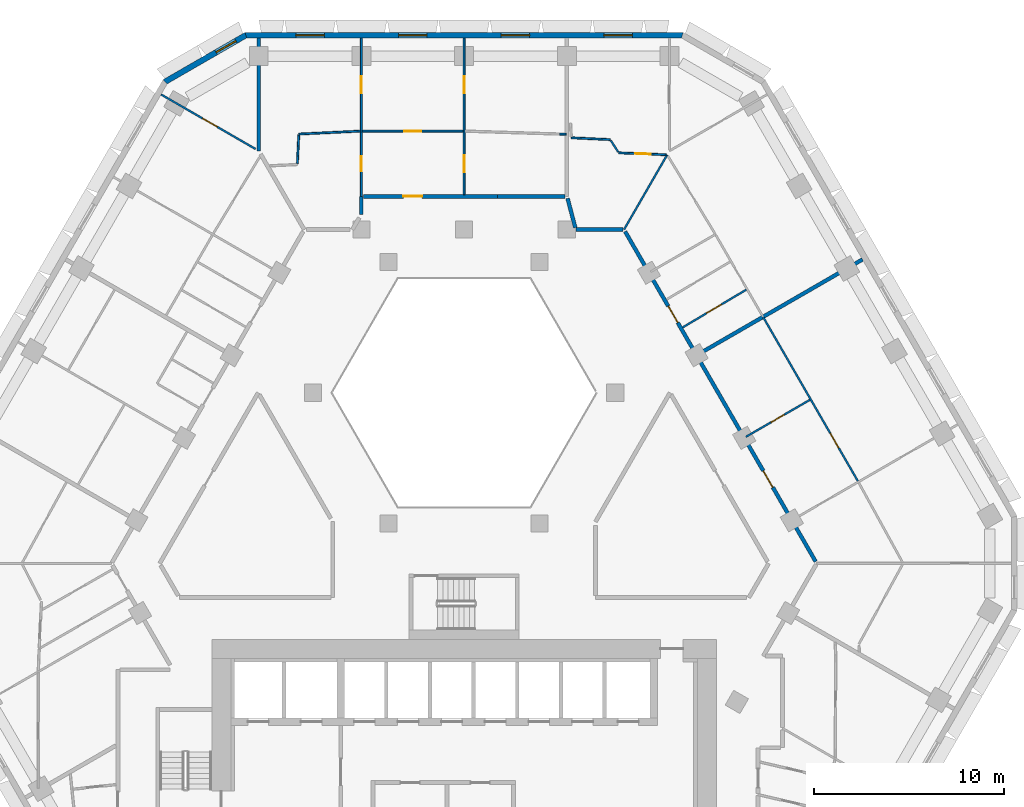
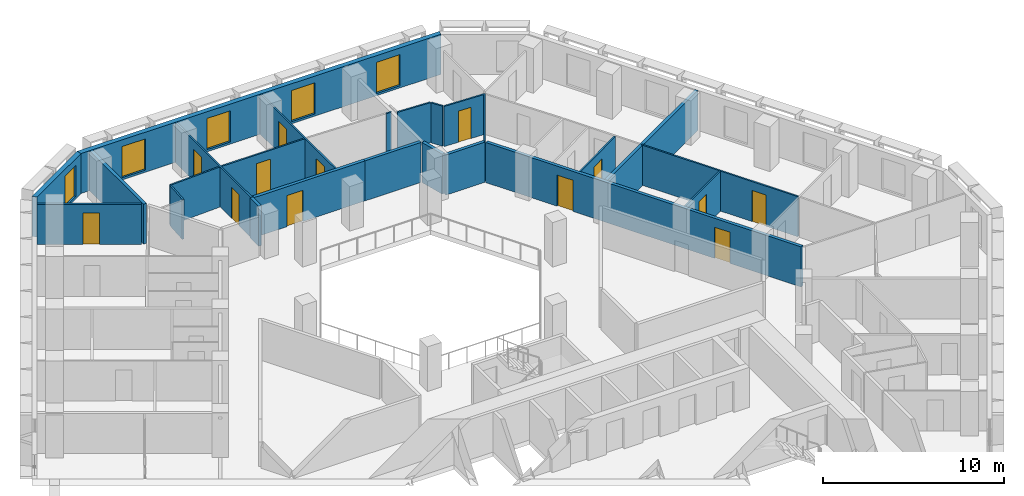
# One storey, part 8 of 15: 24 walls, 13 doors, 5 windows, 18 openings.
"""IFC4 building model written with IfcOpenShell, lengths in metres."""

from ifc_helpers import new_model, si_unit, direction, frame, frame_2d, origin, place, context, subcontext, project, spatial, polyline, rectangle, outline, extrude, material, layer, layer_set, type_object, element, fill, save


model = new_model("IFC4")

# Units and contexts
model_context = context("Model", 3, precision=1e-05, world=origin(), true_north=direction((0.0, 1.0)))
body_context = subcontext(model_context, "Body", "Model", "MODEL_VIEW")
ifc_project = project(units=[si_unit("LENGTHUNIT", "METRE"), si_unit("AREAUNIT", "SQUARE_METRE"), si_unit("VOLUMEUNIT", "CUBIC_METRE"), si_unit("PLANEANGLEUNIT", "RADIAN"), si_unit("MASSUNIT", "GRAM", prefix="KILO")], contexts=[model_context])

# Site, building, storey
site_placement = place(None, origin())
site = spatial("IfcSite", under=ifc_project, at=site_placement, CompositionType="ELEMENT")
building_placement = place(site_placement, origin())
building = spatial("IfcBuilding", under=site, at=building_placement, Name="Beryl Residences", CompositionType="ELEMENT")
storey_placement = place(building_placement, frame((0.0, 0.0, 102.0)))
storey = spatial("IfcBuildingStorey", under=building, at=storey_placement, Name="L31", CompositionType="ELEMENT", Elevation=102.0)

# Wall, openings, windows
ifc_material_1 = material(Name="Composite metal panel with mineral wool insulation")
ifc_layer_1 = layer(ifc_material_1, 0.300048828125)
ifc_layer_set_1 = layer_set([ifc_layer_1], Name="ES1 pale metal composite panel wall 300 mm")
wall_type_1 = type_object("IfcWallType", Name="ES1 pale metal composite panel wall 300 mm", PredefinedType="SOLIDWALL", material=ifc_layer_set_1)
wall_1_placement = place(storey_placement, frame((11.547119140625, 26.85009765625, 0.0), z_axis=(0.0, 0.0, 1.0), x_axis=(-1.0, 0.0, 0.0)))
wall_1 = element("IfcWall", 1, at=wall_1_placement, inside=storey, type_object=wall_type_1, Name="ES1 external wall L31 N", PredefinedType="SOLIDWALL", context=body_context, shape_type="SweptSolid", body=[
    extrude(outline(polyline([(0.0, -0.14990234375), (23.09423828125, -0.14990234375), (23.013916015625, 0.14990234375), (0.080322265625, 0.14990234375), (0.0, -0.14990234375)])), origin(), (0.0, 0.0, 1.0), 2.699951171875),
])
opening_1_placement = place(wall_1_placement, frame((2.677978515625, 0.0, 0.14990234375)))
opening_1 = element("IfcOpeningElement", 2, at=opening_1_placement, cuts=wall_1, Name="Opening W1", PredefinedType="OPENING", context=body_context, shape_type="SweptSolid", body=[
    extrude(rectangle(XDim=1.5, YDim=2.10009765625, at=frame_2d((0.75, 1.050048828125))), frame((0.0, 0.159912109375, 0.0), z_axis=(0.0, -1.0, 0.0), x_axis=(1.0, 0.0, 0.0)), (0.0, 0.0, 1.0), 0.320068359375),
])
opening_2_placement = place(wall_1_placement, frame((8.092041015625, 0.0, 0.14990234375)))
opening_2 = element("IfcOpeningElement", 3, at=opening_2_placement, cuts=wall_1, Name="Opening W1", PredefinedType="OPENING", context=body_context, shape_type="SweptSolid", body=[
    extrude(rectangle(XDim=1.5, YDim=2.10009765625, at=frame_2d((0.75, 1.050048828125))), frame((0.0, 0.159912109375, 0.0), z_axis=(0.0, -1.0, 0.0), x_axis=(1.0, 0.0, 0.0)), (0.0, 0.0, 1.0), 0.320068359375),
])
opening_3_placement = place(wall_1_placement, frame((13.50390625, 0.0, 0.14990234375)))
opening_3 = element("IfcOpeningElement", 4, at=opening_3_placement, cuts=wall_1, Name="Opening W1", PredefinedType="OPENING", context=body_context, shape_type="SweptSolid", body=[
    extrude(rectangle(XDim=1.5, YDim=2.10009765625, at=frame_2d((0.75, 1.050048828125))), frame((0.0, 0.159912109375, 0.0), z_axis=(0.0, -1.0, 0.0), x_axis=(1.0, 0.0, 0.0)), (0.0, 0.0, 1.0), 0.320068359375),
])
opening_4_placement = place(wall_1_placement, frame((18.9169921875, 0.0, 0.14990234375)))
opening_4 = element("IfcOpeningElement", 5, at=opening_4_placement, cuts=wall_1, Name="Opening W1", PredefinedType="OPENING", context=body_context, shape_type="SweptSolid", body=[
    extrude(rectangle(XDim=1.5, YDim=2.10009765625, at=frame_2d((0.75, 1.050048828125))), frame((0.0, 0.159912109375, 0.0), z_axis=(0.0, -1.0, 0.0), x_axis=(1.0, 0.0, 0.0)), (0.0, 0.0, 1.0), 0.320068359375),
])
ifc_material_2 = material(Name="Aluminium and clear glass", Category="aluminium")
window_type_1 = type_object("IfcWindowType", Name="W1 cell window 1500 x 2100 mm", PartitioningType="SINGLE_PANEL", PredefinedType="WINDOW", material=ifc_material_2)
window_1_placement = place(opening_1_placement, origin())
window_1 = element("IfcWindow", 6, at=window_1_placement, inside=storey, type_object=window_type_1, Name="W1 window L31 N 2", OverallHeight=2.10009765625, OverallWidth=1.5, PartitioningType="SINGLE_PANEL", PredefinedType="WINDOW", context=body_context, shape_type="SweptSolid", body=[
    extrude(rectangle(XDim=1.5, YDim=2.10009765625, at=frame_2d((0.75, 1.050048828125))), frame((0.0, 0.030029296875, 0.0), z_axis=(0.0, -1.0, 0.0), x_axis=(1.0, 0.0, 0.0)), (0.0, 0.0, 1.0), 0.06005859375),
])
fill(opening_1, window_1)
window_2_placement = place(opening_2_placement, origin())
window_2 = element("IfcWindow", 7, at=window_2_placement, inside=storey, type_object=window_type_1, Name="W1 window L31 N 4", OverallHeight=2.10009765625, OverallWidth=1.5, PartitioningType="SINGLE_PANEL", PredefinedType="WINDOW", context=body_context, shape_type="SweptSolid", body=[
    extrude(rectangle(XDim=1.5, YDim=2.10009765625, at=frame_2d((0.75, 1.050048828125))), frame((0.0, 0.030029296875, 0.0), z_axis=(0.0, -1.0, 0.0), x_axis=(1.0, 0.0, 0.0)), (0.0, 0.0, 1.0), 0.06005859375),
])
fill(opening_2, window_2)
window_3_placement = place(opening_3_placement, origin())
window_3 = element("IfcWindow", 8, at=window_3_placement, inside=storey, type_object=window_type_1, Name="W1 window L31 N 6", OverallHeight=2.10009765625, OverallWidth=1.5, PartitioningType="SINGLE_PANEL", PredefinedType="WINDOW", context=body_context, shape_type="SweptSolid", body=[
    extrude(rectangle(XDim=1.5, YDim=2.10009765625, at=frame_2d((0.75, 1.050048828125))), frame((0.0, 0.030029296875, 0.0), z_axis=(0.0, -1.0, 0.0), x_axis=(1.0, 0.0, 0.0)), (0.0, 0.0, 1.0), 0.06005859375),
])
fill(opening_3, window_3)
window_4_placement = place(opening_4_placement, origin())
window_4 = element("IfcWindow", 9, at=window_4_placement, inside=storey, type_object=window_type_1, Name="W1 window L31 N 8", OverallHeight=2.10009765625, OverallWidth=1.5, PartitioningType="SINGLE_PANEL", PredefinedType="WINDOW", context=body_context, shape_type="SweptSolid", body=[
    extrude(rectangle(XDim=1.5, YDim=2.10009765625, at=frame_2d((0.75, 1.050048828125))), frame((0.0, 0.030029296875, 0.0), z_axis=(0.0, -1.0, 0.0), x_axis=(1.0, 0.0, 0.0)), (0.0, 0.0, 1.0), 0.06005859375),
])
fill(opening_4, window_4)

# Wall, opening, window
wall_2_placement = place(storey_placement, frame((-11.471923828125, 26.8701171875, 0.0), z_axis=(0.0, 0.0, 1.0), x_axis=(-0.866022959057, -0.500004234368, 0.0)))
wall_2 = element("IfcWall", 10, at=wall_2_placement, inside=storey, type_object=wall_type_1, Name="ES1 external wall L31 N-NW", PredefinedType="SOLIDWALL", context=body_context, shape_type="SweptSolid", body=[
    extrude(outline(polyline([(0.0, -0.14990234375), (5.0, -0.14990234375), (4.919677734375, 0.14990234375), (0.080322265625, 0.14990234375), (0.0, -0.14990234375)])), origin(), (0.0, 0.0, 1.0), 2.699951171875),
])
opening_5_placement = place(wall_2_placement, frame((0.64990234375, 0.0, 0.14990234375)))
opening_5 = element("IfcOpeningElement", 11, at=opening_5_placement, cuts=wall_2, Name="Opening W2", PredefinedType="OPENING", context=body_context, shape_type="SweptSolid", body=[
    extrude(rectangle(XDim=1.199951171875, YDim=2.10009765625, at=frame_2d((0.60009765625, 1.050048828125))), frame((0.0, 0.159912109375, 0.0), z_axis=(0.0, -1.0, 0.0), x_axis=(1.0, 0.0, 0.0)), (0.0, 0.0, 1.0), 0.320068359375),
])
ifc_material_3 = material(Name="Aluminium and clear glass", Category="aluminium")
window_type_2 = type_object("IfcWindowType", Name="W2 chamfer window 1200 x 2100 mm", PartitioningType="SINGLE_PANEL", PredefinedType="WINDOW", material=ifc_material_3)
window_5_placement = place(opening_5_placement, origin())
window_5 = element("IfcWindow", 12, at=window_5_placement, inside=storey, type_object=window_type_2, Name="W2 window L31 N-NW 1", OverallHeight=2.10009765625, OverallWidth=1.199951171875, PartitioningType="SINGLE_PANEL", PredefinedType="WINDOW", context=body_context, shape_type="SweptSolid", body=[
    extrude(rectangle(XDim=1.199951171875, YDim=2.10009765625, at=frame_2d((0.60009765625, 1.050048828125))), frame((0.0, 0.030029296875, 0.0), z_axis=(0.0, -1.0, 0.0), x_axis=(1.0, 0.0, 0.0)), (0.0, 0.0, 1.0), 0.06005859375),
])
fill(opening_5, window_5)

# Wall
ifc_material_4 = material(Name="Gypsum board partition on steel studs", Category="steel")
ifc_layer_2 = layer(ifc_material_4, 0.10009765625)
ifc_layer_set_2 = layer_set([ifc_layer_2], Name="PT1 partition 100 mm gypsum board on steel studs")
wall_type_2 = type_object("IfcWallType", Name="PT1 partition 100 mm gypsum board on steel studs", PredefinedType="PARTITIONING", material=ifc_layer_set_2)
wall_3_placement = place(storey_placement, frame((7.737060546875, 21.291015625, 0.0), z_axis=(0.0, 0.0, 1.0), x_axis=(0.540389876456, -0.841414749944, 0.0)))
element("IfcWall", 13, at=wall_3_placement, inside=storey, type_object=wall_type_2, Name="Wall PT1 L31 001", PredefinedType="PARTITIONING", context=body_context, shape_type="SweptSolid", body=[
    extrude(rectangle(XDim=0.704833984375, YDim=0.10009765625, at=frame_2d((0.3525390625, 0.0))), origin(), (0.0, 0.0, 1.0), 2.699951171875),
])

# Wall, opening, door
wall_4_placement = place(storey_placement, frame((8.15087890625, 20.64697265625, 0.0), z_axis=(0.0, 0.0, 1.0), x_axis=(0.999167241152, -0.040802257405, 0.0)))
wall_4 = element("IfcWall", 14, at=wall_4_placement, inside=storey, type_object=wall_type_2, Name="Wall PT1 L31 015", PredefinedType="PARTITIONING", context=body_context, shape_type="SweptSolid", body=[
    extrude(rectangle(XDim=2.501220703125, YDim=0.10009765625, at=frame_2d((1.25048828125, 0.0))), origin(), (0.0, 0.0, 1.0), 2.699951171875),
])
opening_6_placement = place(wall_4_placement, frame((0.87890625, 0.0, 0.0)))
opening_6 = element("IfcOpeningElement", 15, at=opening_6_placement, cuts=wall_4, Name="Opening D0930", PredefinedType="OPENING", context=body_context, shape_type="SweptSolid", body=[
    extrude(rectangle(XDim=0.800048828125, YDim=2.10009765625, at=frame_2d((0.39990234375, 1.050048828125))), frame((0.0, 0.06005859375, 0.0), z_axis=(0.0, -1.0, 0.0), x_axis=(1.0, 0.0, 0.0)), (0.0, 0.0, 1.0), 0.1201171875),
])
ifc_material_5 = material(Name="Timber door leaf", Category="wood")
door_type_1 = type_object("IfcDoorType", Name="D3 bathroom door 800 x 2100 mm", OperationType="SINGLE_SWING_LEFT", PredefinedType="DOOR", material=ifc_material_5)
door_1_placement = place(opening_6_placement, origin())
door_1 = element("IfcDoor", 16, at=door_1_placement, inside=storey, type_object=door_type_1, Name="Door D0930 L31 001", OperationType="SINGLE_SWING_RIGHT", OverallHeight=2.10009765625, OverallWidth=0.800048828125, PredefinedType="DOOR", context=body_context, shape_type="SweptSolid", body=[
    extrude(rectangle(XDim=0.800048828125, YDim=2.10009765625, at=frame_2d((0.39990234375, 1.050048828125))), frame((0.0, 0.02490234375, 0.0), z_axis=(0.0, -1.0, 0.0), x_axis=(1.0, 0.0, 0.0)), (0.0, 0.0, 1.0), 0.050048828125),
])
fill(opening_6, door_1)

# Wall
wall_5_placement = place(storey_placement, frame((5.64892578125, 21.44091796875, 0.0), z_axis=(0.0, 0.0, 1.0), x_axis=(0.998867332207, -0.047582062273, 0.0)))
element("IfcWall", 17, at=wall_5_placement, inside=storey, type_object=wall_type_2, Name="Wall PT1 L31 016", PredefinedType="PARTITIONING", context=body_context, shape_type="SweptSolid", body=[
    extrude(rectangle(XDim=2.0576171875, YDim=0.10009765625, at=frame_2d((1.02880859375, 0.0))), origin(), (0.0, 0.0, 1.0), 2.699951171875),
])

# Wall, opening, door
wall_6_placement = place(storey_placement, frame((-15.97705078125, 23.72509765625, 0.0), z_axis=(0.0, 0.0, 1.0), x_axis=(0.866028566888, -0.499994521305, 0.0)))
wall_6 = element("IfcWall", 18, at=wall_6_placement, inside=storey, type_object=wall_type_2, Name="Wall PT1 L31 025", PredefinedType="PARTITIONING", context=body_context, shape_type="SweptSolid", body=[
    extrude(rectangle(XDim=5.748046875, YDim=0.10009765625, at=frame_2d((2.8740234375, 0.0))), origin(), (0.0, 0.0, 1.0), 2.699951171875),
])
opening_7_placement = place(wall_6_placement, frame((2.52392578125, 0.0, 0.0)))
opening_7 = element("IfcOpeningElement", 19, at=opening_7_placement, cuts=wall_6, Name="Opening D0942", PredefinedType="OPENING", context=body_context, shape_type="SweptSolid", body=[
    extrude(rectangle(XDim=0.89990234375, YDim=2.10009765625, at=frame_2d((0.449951171875, 1.050048828125))), frame((0.0, 0.06005859375, 0.0), z_axis=(0.0, -1.0, 0.0), x_axis=(1.0, 0.0, 0.0)), (0.0, 0.0, 1.0), 0.1201171875),
])
ifc_material_6 = material(Name="Timber door leaf", Category="wood")
door_type_2 = type_object("IfcDoorType", Name="D2 room door 900 x 2100 mm", OperationType="SINGLE_SWING_LEFT", PredefinedType="DOOR", material=ifc_material_6)
door_2_placement = place(opening_7_placement, origin())
door_2 = element("IfcDoor", 20, at=door_2_placement, inside=storey, type_object=door_type_2, Name="Door D0942 L31 001", OperationType="SINGLE_SWING_RIGHT", OverallHeight=2.10009765625, OverallWidth=0.89990234375, PredefinedType="DOOR", context=body_context, shape_type="SweptSolid", body=[
    extrude(rectangle(XDim=0.89990234375, YDim=2.10009765625, at=frame_2d((0.449951171875, 1.050048828125))), frame((0.0, 0.02490234375, 0.0), z_axis=(0.0, -1.0, 0.0), x_axis=(1.0, 0.0, 0.0)), (0.0, 0.0, 1.0), 0.050048828125),
])
fill(opening_7, door_2)

# Wall
wall_7_placement = place(storey_placement, frame((5.035888671875, 21.636962890625, 0.0), z_axis=(0.0, 0.0, 1.0), x_axis=(1.0, 0.0, 0.0)))
element("IfcWall", 21, at=wall_7_placement, inside=storey, type_object=wall_type_2, Name="Wall PT1 L31 030", PredefinedType="PARTITIONING", context=body_context, shape_type="SweptSolid", body=[
    extrude(rectangle(XDim=0.337158203125, YDim=0.10009765625, at=frame_2d((0.16845703125, 0.0))), origin(), (0.0, 0.0, 1.0), 2.699951171875),
])

# Wall, opening, door
wall_8_placement = place(storey_placement, frame((-5.364013671875, 21.7939453125, 0.0), z_axis=(0.0, 0.0, 1.0), x_axis=(1.0, 0.0, 0.0)))
wall_8 = element("IfcWall", 22, at=wall_8_placement, inside=storey, type_object=wall_type_2, Name="Wall PT1 L31 031", PredefinedType="PARTITIONING", context=body_context, shape_type="SweptSolid", body=[
    extrude(rectangle(XDim=5.31298828125, YDim=0.10009765625, at=frame_2d((2.656494140625, 0.0))), origin(), (0.0, 0.0, 1.0), 2.699951171875),
])
opening_8_placement = place(wall_8_placement, frame((2.20703125, 0.0, 0.0)))
opening_8 = element("IfcOpeningElement", 23, at=opening_8_placement, cuts=wall_8, Name="Opening D0932", PredefinedType="OPENING", context=body_context, shape_type="SweptSolid", body=[
    extrude(rectangle(XDim=0.89990234375, YDim=2.10009765625, at=frame_2d((0.449951171875, 1.050048828125))), frame((0.0, 0.06005859375, 0.0), z_axis=(0.0, -1.0, 0.0), x_axis=(1.0, 0.0, 0.0)), (0.0, 0.0, 1.0), 0.1201171875),
])
door_3_placement = place(opening_8_placement, origin())
door_3 = element("IfcDoor", 24, at=door_3_placement, inside=storey, type_object=door_type_2, Name="Door D0932 L31 001", OperationType="SINGLE_SWING_RIGHT", OverallHeight=2.10009765625, OverallWidth=0.89990234375, PredefinedType="DOOR", context=body_context, shape_type="SweptSolid", body=[
    extrude(rectangle(XDim=0.89990234375, YDim=2.10009765625, at=frame_2d((0.449951171875, 1.050048828125))), frame((0.0, 0.02490234375, 0.0), z_axis=(0.0, -1.0, 0.0), x_axis=(1.0, 0.0, 0.0)), (0.0, 0.0, 1.0), 0.050048828125),
])
fill(opening_8, door_3)

# Walls
wall_9_placement = place(storey_placement, frame((8.429931640625, 16.60009765625, 0.0), z_axis=(0.0, 0.0, 1.0), x_axis=(0.499951460778, 0.866053426104, 0.0)))
element("IfcWall", 25, at=wall_9_placement, inside=storey, type_object=wall_type_2, Name="Wall PT1 L31 035", PredefinedType="PARTITIONING", context=body_context, shape_type="SweptSolid", body=[
    extrude(rectangle(XDim=4.552734375, YDim=0.10009765625, at=frame_2d((2.2763671875, 0.0))), origin(), (0.0, 0.0, 1.0), 2.699951171875),
])
wall_10_placement = place(storey_placement, frame((-8.7900390625, 20.0810546875, 0.0), z_axis=(0.0, 0.0, 1.0), x_axis=(0.049097109821, 0.998794009697, 0.0)))
element("IfcWall", 26, at=wall_10_placement, inside=storey, type_object=wall_type_2, Name="Wall PT1 L31 043", PredefinedType="PARTITIONING", context=body_context, shape_type="SweptSolid", body=[
    extrude(rectangle(XDim=1.506591796875, YDim=0.10009765625, at=frame_2d((0.75341796875, 0.0))), origin(), (0.0, 0.0, 1.0), 2.699951171875),
])

# Wall, openings, doors
wall_11_placement = place(storey_placement, frame((-0.0009765625, 18.449951171875, 0.0), z_axis=(0.0, 0.0, 1.0), x_axis=(0.0, 1.0, 0.0)))
wall_11 = element("IfcWall", 27, at=wall_11_placement, inside=storey, type_object=wall_type_2, Name="Wall PT1 L31 051", PredefinedType="PARTITIONING", context=body_context, shape_type="SweptSolid", body=[
    extrude(rectangle(XDim=8.25, YDim=0.10009765625, at=frame_2d((4.125, 0.0))), origin(), (0.0, 0.0, 1.0), 2.699951171875),
])
opening_9_placement = place(wall_11_placement, frame((1.172119140625, 0.0, 0.0)))
opening_9 = element("IfcOpeningElement", 28, at=opening_9_placement, cuts=wall_11, Name="Opening D0934", PredefinedType="OPENING", context=body_context, shape_type="SweptSolid", body=[
    extrude(rectangle(XDim=0.89990234375, YDim=2.10009765625, at=frame_2d((0.449951171875, 1.050048828125))), frame((0.0, 0.06005859375, 0.0), z_axis=(0.0, -1.0, 0.0), x_axis=(1.0, 0.0, 0.0)), (0.0, 0.0, 1.0), 0.1201171875),
])
opening_10_placement = place(wall_11_placement, frame((5.346923828125, 0.0, 0.0)))
opening_10 = element("IfcOpeningElement", 29, at=opening_10_placement, cuts=wall_11, Name="Opening D0935", PredefinedType="OPENING", context=body_context, shape_type="SweptSolid", body=[
    extrude(rectangle(XDim=0.89990234375, YDim=2.10009765625, at=frame_2d((0.449951171875, 1.050048828125))), frame((0.0, 0.06005859375, 0.0), z_axis=(0.0, -1.0, 0.0), x_axis=(1.0, 0.0, 0.0)), (0.0, 0.0, 1.0), 0.1201171875),
])
door_4_placement = place(opening_9_placement, origin())
door_4 = element("IfcDoor", 30, at=door_4_placement, inside=storey, type_object=door_type_2, Name="Door D0934 L31 001", OperationType="SINGLE_SWING_RIGHT", OverallHeight=2.10009765625, OverallWidth=0.89990234375, PredefinedType="DOOR", context=body_context, shape_type="SweptSolid", body=[
    extrude(rectangle(XDim=0.89990234375, YDim=2.10009765625, at=frame_2d((0.449951171875, 1.050048828125))), frame((0.0, 0.02490234375, 0.0), z_axis=(0.0, -1.0, 0.0), x_axis=(1.0, 0.0, 0.0)), (0.0, 0.0, 1.0), 0.050048828125),
])
fill(opening_9, door_4)
door_5_placement = place(opening_10_placement, origin())
door_5 = element("IfcDoor", 31, at=door_5_placement, inside=storey, type_object=door_type_2, Name="Door D0935 L31 001", OperationType="SINGLE_SWING_LEFT", OverallHeight=2.10009765625, OverallWidth=0.89990234375, PredefinedType="DOOR", context=body_context, shape_type="SweptSolid", body=[
    extrude(rectangle(XDim=0.89990234375, YDim=2.10009765625, at=frame_2d((0.449951171875, 1.050048828125))), frame((0.0, 0.02490234375, 0.0), z_axis=(0.0, -1.0, 0.0), x_axis=(1.0, 0.0, 0.0)), (0.0, 0.0, 1.0), 0.050048828125),
])
fill(opening_10, door_5)

wall_12_placement = place(storey_placement, frame((-5.4140625, 18.35009765625, 0.0), z_axis=(0.0, 0.0, 1.0), x_axis=(0.0, 1.0, 0.0)))
wall_12 = element("IfcWall", 32, at=wall_12_placement, inside=storey, type_object=wall_type_2, Name="Wall PT1 L31 052", PredefinedType="PARTITIONING", context=body_context, shape_type="SweptSolid", body=[
    extrude(rectangle(XDim=8.349853515625, YDim=0.10009765625, at=frame_2d((4.1748046875, 0.0))), origin(), (0.0, 0.0, 1.0), 2.699951171875),
])
opening_11_placement = place(wall_12_placement, frame((1.322021484375, 0.0, 0.0)))
opening_11 = element("IfcOpeningElement", 33, at=opening_11_placement, cuts=wall_12, Name="Opening D0933", PredefinedType="OPENING", context=body_context, shape_type="SweptSolid", body=[
    extrude(rectangle(XDim=0.800048828125, YDim=2.10009765625, at=frame_2d((0.39990234375, 1.050048828125))), frame((0.0, 0.06005859375, 0.0), z_axis=(0.0, -1.0, 0.0), x_axis=(1.0, 0.0, 0.0)), (0.0, 0.0, 1.0), 0.1201171875),
])
opening_12_placement = place(wall_12_placement, frame((5.447021484375, 0.0, 0.0)))
opening_12 = element("IfcOpeningElement", 34, at=opening_12_placement, cuts=wall_12, Name="Opening D0936", PredefinedType="OPENING", context=body_context, shape_type="SweptSolid", body=[
    extrude(rectangle(XDim=0.89990234375, YDim=2.10009765625, at=frame_2d((0.449951171875, 1.050048828125))), frame((0.0, 0.06005859375, 0.0), z_axis=(0.0, -1.0, 0.0), x_axis=(1.0, 0.0, 0.0)), (0.0, 0.0, 1.0), 0.1201171875),
])
door_6_placement = place(opening_12_placement, origin())
door_6 = element("IfcDoor", 35, at=door_6_placement, inside=storey, type_object=door_type_2, Name="Door D0936 L31 001", OperationType="SINGLE_SWING_RIGHT", OverallHeight=2.10009765625, OverallWidth=0.89990234375, PredefinedType="DOOR", context=body_context, shape_type="SweptSolid", body=[
    extrude(rectangle(XDim=0.89990234375, YDim=2.10009765625, at=frame_2d((0.449951171875, 1.050048828125))), frame((0.0, 0.02490234375, 0.0), z_axis=(0.0, -1.0, 0.0), x_axis=(1.0, 0.0, 0.0)), (0.0, 0.0, 1.0), 0.050048828125),
])
fill(opening_12, door_6)
door_7_placement = place(opening_11_placement, origin())
door_7 = element("IfcDoor", 36, at=door_7_placement, inside=storey, type_object=door_type_1, Name="Door D0933 L31 001", OperationType="SINGLE_SWING_LEFT", OverallHeight=2.10009765625, OverallWidth=0.800048828125, PredefinedType="DOOR", context=body_context, shape_type="SweptSolid", body=[
    extrude(rectangle(XDim=0.800048828125, YDim=2.10009765625, at=frame_2d((0.39990234375, 1.050048828125))), frame((0.0, 0.02490234375, 0.0), z_axis=(0.0, -1.0, 0.0), x_axis=(1.0, 0.0, 0.0)), (0.0, 0.0, 1.0), 0.050048828125),
])
fill(opening_11, door_7)

# Wall
wall_13_placement = place(storey_placement, frame((-8.714111328125, 21.636962890625, 0.0), z_axis=(0.0, 0.0, 1.0), x_axis=(0.998864229829, 0.047647144377, 0.0)))
element("IfcWall", 37, at=wall_13_placement, inside=storey, type_object=wall_type_2, Name="Wall PT1 L31 058", PredefinedType="PARTITIONING", context=body_context, shape_type="SweptSolid", body=[
    extrude(rectangle(XDim=3.253662109375, YDim=0.10009765625, at=frame_2d((1.626953125, 0.0))), origin(), (0.0, 0.0, 1.0), 2.699951171875),
])

# Wall, opening, door
wall_14_placement = place(storey_placement, frame((14.85302734375, 5.675048828125, 0.0), z_axis=(0.0, 0.0, 1.0), x_axis=(0.865979019114, 0.500080332001, 0.0)))
wall_14 = element("IfcWall", 38, at=wall_14_placement, inside=storey, type_object=wall_type_2, Name="Wall PT1 L31 061", PredefinedType="PARTITIONING", context=body_context, shape_type="SweptSolid", body=[
    extrude(rectangle(XDim=3.897216796875, YDim=0.10009765625, at=frame_2d((1.94873046875, 0.0))), origin(), (0.0, 0.0, 1.0), 2.699951171875),
])
opening_13_placement = place(wall_14_placement, frame((1.52392578125, 0.0, 0.0)))
opening_13 = element("IfcOpeningElement", 39, at=opening_13_placement, cuts=wall_14, Name="Opening D0918", PredefinedType="OPENING", context=body_context, shape_type="SweptSolid", body=[
    extrude(rectangle(XDim=0.800048828125, YDim=2.10009765625, at=frame_2d((0.39990234375, 1.050048828125))), frame((0.0, 0.06005859375, 0.0), z_axis=(0.0, -1.0, 0.0), x_axis=(1.0, 0.0, 0.0)), (0.0, 0.0, 1.0), 0.1201171875),
])
door_8_placement = place(opening_13_placement, origin())
door_8 = element("IfcDoor", 40, at=door_8_placement, inside=storey, type_object=door_type_1, Name="Door D0918 L31 001", OperationType="SINGLE_SWING_RIGHT", OverallHeight=2.10009765625, OverallWidth=0.800048828125, PredefinedType="DOOR", context=body_context, shape_type="SweptSolid", body=[
    extrude(rectangle(XDim=0.800048828125, YDim=2.10009765625, at=frame_2d((0.39990234375, 1.050048828125))), frame((0.0, 0.02490234375, 0.0), z_axis=(0.0, -1.0, 0.0), x_axis=(1.0, 0.0, 0.0)), (0.0, 0.0, 1.0), 0.050048828125),
])
fill(opening_13, door_8)

wall_15_placement = place(storey_placement, frame((11.52197265625, 11.444091796875, 0.0), z_axis=(0.0, 0.0, 1.0), x_axis=(0.860134781641, 0.510066816615, 0.0)))
wall_15 = element("IfcWall", 41, at=wall_15_placement, inside=storey, type_object=wall_type_2, Name="Wall PT1 L31 067", PredefinedType="PARTITIONING", context=body_context, shape_type="SweptSolid", body=[
    extrude(rectangle(XDim=3.897216796875, YDim=0.10009765625, at=frame_2d((1.94873046875, 0.0))), origin(), (0.0, 0.0, 1.0), 2.699951171875),
])
opening_14_placement = place(wall_15_placement, frame((1.472900390625, 0.0, 0.0)))
opening_14 = element("IfcOpeningElement", 42, at=opening_14_placement, cuts=wall_15, Name="Opening D0925", PredefinedType="OPENING", context=body_context, shape_type="SweptSolid", body=[
    extrude(rectangle(XDim=0.89990234375, YDim=2.10009765625, at=frame_2d((0.449951171875, 1.050048828125))), frame((0.0, 0.06005859375, 0.0), z_axis=(0.0, -1.0, 0.0), x_axis=(1.0, 0.0, 0.0)), (0.0, 0.0, 1.0), 0.1201171875),
])
door_9_placement = place(opening_14_placement, origin())
door_9 = element("IfcDoor", 43, at=door_9_placement, inside=storey, type_object=door_type_2, Name="Door D0925 L31 001", OperationType="SINGLE_SWING_LEFT", OverallHeight=2.10009765625, OverallWidth=0.89990234375, PredefinedType="DOOR", context=body_context, shape_type="SweptSolid", body=[
    extrude(rectangle(XDim=0.89990234375, YDim=2.10009765625, at=frame_2d((0.449951171875, 1.050048828125))), frame((0.0, 0.02490234375, 0.0), z_axis=(0.0, -1.0, 0.0), x_axis=(1.0, 0.0, 0.0)), (0.0, 0.0, 1.0), 0.050048828125),
])
fill(opening_14, door_9)

wall_16_placement = place(storey_placement, frame((15.759033203125, 11.998046875, 0.0), z_axis=(0.0, 0.0, 1.0), x_axis=(0.500068444113, -0.865985883951, 0.0)))
wall_16 = element("IfcWall", 44, at=wall_16_placement, inside=storey, type_object=wall_type_2, Name="Wall PT1 L31 069", PredefinedType="PARTITIONING", context=body_context, shape_type="SweptSolid", body=[
    extrude(rectangle(XDim=9.99658203125, YDim=0.10009765625, at=frame_2d((4.998291015625, 0.0))), origin(), (0.0, 0.0, 1.0), 2.699951171875),
])
opening_15_placement = place(wall_16_placement, frame((7.073974609375, 0.0, 0.0)))
opening_15 = element("IfcOpeningElement", 45, at=opening_15_placement, cuts=wall_16, Name="Opening D0917", PredefinedType="OPENING", context=body_context, shape_type="SweptSolid", body=[
    extrude(rectangle(XDim=0.89990234375, YDim=2.10009765625, at=frame_2d((0.449951171875, 1.050048828125))), frame((0.0, 0.06005859375, 0.0), z_axis=(0.0, -1.0, 0.0), x_axis=(1.0, 0.0, 0.0)), (0.0, 0.0, 1.0), 0.1201171875),
])
door_10_placement = place(opening_15_placement, origin())
door_10 = element("IfcDoor", 46, at=door_10_placement, inside=storey, type_object=door_type_2, Name="Door D0917 L31 001", OperationType="SINGLE_SWING_LEFT", OverallHeight=2.10009765625, OverallWidth=0.89990234375, PredefinedType="DOOR", context=body_context, shape_type="SweptSolid", body=[
    extrude(rectangle(XDim=0.89990234375, YDim=2.10009765625, at=frame_2d((0.449951171875, 1.050048828125))), frame((0.0, 0.02490234375, 0.0), z_axis=(0.0, -1.0, 0.0), x_axis=(1.0, 0.0, 0.0)), (0.0, 0.0, 1.0), 0.050048828125),
])
fill(opening_15, door_10)

# Walls
ifc_material_7 = material(Name="Acoustic double stud gypsum board wall")
ifc_layer_3 = layer(ifc_material_7, 0.199951171875)
ifc_layer_set_3 = layer_set([ifc_layer_3], Name="PT3 party wall 200 mm acoustic double stud")
wall_type_3 = type_object("IfcWallType", Name="PT3 party wall 200 mm acoustic double stud", PredefinedType="PARTITIONING", material=ifc_layer_set_3)
wall_17_placement = place(storey_placement, frame((-10.826904296875, 20.7529296875, 0.0), z_axis=(0.0, 0.0, 1.0), x_axis=(0.0, 1.0, 0.0)))
element("IfcWall", 47, at=wall_17_placement, inside=storey, type_object=wall_type_3, Name="Wall PT3 L31 008", PredefinedType="PARTITIONING", context=body_context, shape_type="SweptSolid", body=[
    extrude(rectangle(XDim=5.947021484375, YDim=0.199951171875, at=frame_2d((2.9736328125, 0.0))), origin(), (0.0, 0.0, 1.0), 2.699951171875),
])
wall_18_placement = place(storey_placement, frame((12.342041015625, 10.02490234375, 0.0), z_axis=(0.0, 0.0, 1.0), x_axis=(0.865992435864, 0.500057097767, 0.0)))
element("IfcWall", 48, at=wall_18_placement, inside=storey, type_object=wall_type_3, Name="Wall PT3 L31 011", PredefinedType="PARTITIONING", context=body_context, shape_type="SweptSolid", body=[
    extrude(rectangle(XDim=9.998779296875, YDim=0.199951171875, at=frame_2d((4.99951171875, 0.0))), origin(), (0.0, 0.0, 1.0), 2.699951171875),
])
ifc_material_8 = material(Name="Double stud gypsum board wall")
ifc_layer_4 = layer(ifc_material_8, 0.199951171875)
ifc_layer_set_4 = layer_set([ifc_layer_4], Name="PT4 corridor wall 200 mm double stud")
wall_type_4 = type_object("IfcWallType", Name="PT4 corridor wall 200 mm double stud", PredefinedType="PARTITIONING", material=ifc_layer_set_4)
wall_19_placement = place(storey_placement, frame((5.452880859375, 18.2490234375, 0.0), z_axis=(0.0, 0.0, 1.0), x_axis=(0.255385747764, -0.966839241983, 0.0)))
element("IfcWall", 49, at=wall_19_placement, inside=storey, type_object=wall_type_4, Name="Wall PT4 L31 004", PredefinedType="PARTITIONING", context=body_context, shape_type="SweptSolid", body=[
    extrude(rectangle(XDim=1.602294921875, YDim=0.199951171875, at=frame_2d((0.80126953125, 0.0))), origin(), (0.0, 0.0, 1.0), 2.699951171875),
])

# Wall, openings, doors
wall_20_placement = place(storey_placement, frame((8.488037109375, 16.5, 0.0), z_axis=(0.0, 0.0, 1.0), x_axis=(0.499986836607, -0.86603300354, 0.0)))
wall_20 = element("IfcWall", 50, at=wall_20_placement, inside=storey, type_object=wall_type_4, Name="Wall PT4 L31 006", PredefinedType="PARTITIONING", context=body_context, shape_type="SweptSolid", body=[
    extrude(rectangle(XDim=20.09033203125, YDim=0.199951171875, at=frame_2d((10.045166015625, 0.0))), origin(), (0.0, 0.0, 1.0), 2.699951171875),
])
opening_16_placement = place(wall_20_placement, frame((14.569091796875, 0.0, 0.0)))
opening_16 = element("IfcOpeningElement", 51, at=opening_16_placement, cuts=wall_20, Name="Opening D0916", PredefinedType="OPENING", context=body_context, shape_type="SweptSolid", body=[
    extrude(rectangle(XDim=1.0, YDim=2.10009765625, at=frame_2d((0.5, 1.050048828125))), frame((0.0, 0.10986328125, 0.0), z_axis=(0.0, -1.0, 0.0), x_axis=(1.0, 0.0, 0.0)), (0.0, 0.0, 1.0), 0.219970703125),
])
opening_17_placement = place(wall_20_placement, frame((4.547119140625, 0.0, 0.0)))
opening_17 = element("IfcOpeningElement", 52, at=opening_17_placement, cuts=wall_20, Name="Opening D0923", PredefinedType="OPENING", context=body_context, shape_type="SweptSolid", body=[
    extrude(rectangle(XDim=1.0, YDim=2.10009765625, at=frame_2d((0.5, 1.050048828125))), frame((0.0, 0.10986328125, 0.0), z_axis=(0.0, -1.0, 0.0), x_axis=(1.0, 0.0, 0.0)), (0.0, 0.0, 1.0), 0.219970703125),
])
ifc_material_9 = material(Name="Timber door leaf", Category="wood")
door_type_3 = type_object("IfcDoorType", Name="D1 flat entrance door 1000 x 2100 mm", OperationType="SINGLE_SWING_LEFT", PredefinedType="DOOR", material=ifc_material_9)
door_11_placement = place(opening_16_placement, origin())
door_11 = element("IfcDoor", 53, at=door_11_placement, inside=storey, type_object=door_type_3, Name="Door D0916 L31 001", OperationType="SINGLE_SWING_RIGHT", OverallHeight=2.10009765625, OverallWidth=1.0, PredefinedType="DOOR", context=body_context, shape_type="SweptSolid", body=[
    extrude(rectangle(XDim=1.0, YDim=2.10009765625, at=frame_2d((0.5, 1.050048828125))), frame((0.0, 0.02490234375, 0.0), z_axis=(0.0, -1.0, 0.0), x_axis=(1.0, 0.0, 0.0)), (0.0, 0.0, 1.0), 0.050048828125),
])
fill(opening_16, door_11)
door_12_placement = place(opening_17_placement, origin())
door_12 = element("IfcDoor", 54, at=door_12_placement, inside=storey, type_object=door_type_3, Name="Door D0923 L31 001", OperationType="SINGLE_SWING_LEFT", OverallHeight=2.10009765625, OverallWidth=1.0, PredefinedType="DOOR", context=body_context, shape_type="SweptSolid", body=[
    extrude(rectangle(XDim=1.0, YDim=2.10009765625, at=frame_2d((0.5, 1.050048828125))), frame((0.0, 0.02490234375, 0.0), z_axis=(0.0, -1.0, 0.0), x_axis=(1.0, 0.0, 0.0)), (0.0, 0.0, 1.0), 0.050048828125),
])
fill(opening_17, door_12)

# Walls
wall_21_placement = place(storey_placement, frame((5.888916015625, 16.60009765625, 0.0), z_axis=(0.0, 0.0, 1.0), x_axis=(1.0, 0.0, 0.0)))
element("IfcWall", 55, at=wall_21_placement, inside=storey, type_object=wall_type_4, Name="Wall PT4 L31 020", PredefinedType="PARTITIONING", context=body_context, shape_type="SweptSolid", body=[
    extrude(rectangle(XDim=2.483154296875, YDim=0.199951171875, at=frame_2d((1.24169921875, 0.0))), origin(), (0.0, 0.0, 1.0), 2.699951171875),
])
wall_22_placement = place(storey_placement, frame((1.75, 18.34912109375, 0.0), z_axis=(0.0, 0.0, 1.0), x_axis=(1.0, 0.0, 0.0)))
element("IfcWall", 56, at=wall_22_placement, inside=storey, type_object=wall_type_4, Name="Wall PT4 L31 021", PredefinedType="PARTITIONING", context=body_context, shape_type="SweptSolid", body=[
    extrude(rectangle(XDim=3.56201171875, YDim=0.199951171875, at=frame_2d((1.781005859375, 0.0))), origin(), (0.0, 0.0, 1.0), 2.699951171875),
])

# Wall, opening, door
wall_23_placement = place(storey_placement, frame((-5.31396484375, 18.35009765625, 0.0), z_axis=(0.0, 0.0, 1.0), x_axis=(1.0, 0.0, 0.0)))
wall_23 = element("IfcWall", 57, at=wall_23_placement, inside=storey, type_object=wall_type_4, Name="Wall PT4 L31 022", PredefinedType="PARTITIONING", context=body_context, shape_type="SweptSolid", body=[
    extrude(rectangle(XDim=7.06298828125, YDim=0.199951171875, at=frame_2d((3.531494140625, 0.0))), origin(), (0.0, 0.0, 1.0), 2.699951171875),
])
opening_18_placement = place(wall_23_placement, frame((2.10595703125, 0.0, 0.0)))
opening_18 = element("IfcOpeningElement", 58, at=opening_18_placement, cuts=wall_23, Name="Opening D0931", PredefinedType="OPENING", context=body_context, shape_type="SweptSolid", body=[
    extrude(rectangle(XDim=1.0, YDim=2.10009765625, at=frame_2d((0.5, 1.050048828125))), frame((0.0, 0.10986328125, 0.0), z_axis=(0.0, -1.0, 0.0), x_axis=(1.0, 0.0, 0.0)), (0.0, 0.0, 1.0), 0.219970703125),
])
door_13_placement = place(opening_18_placement, origin())
door_13 = element("IfcDoor", 59, at=door_13_placement, inside=storey, type_object=door_type_3, Name="Door D0931 L31 001", OperationType="SINGLE_SWING_LEFT", OverallHeight=2.10009765625, OverallWidth=1.0, PredefinedType="DOOR", context=body_context, shape_type="SweptSolid", body=[
    extrude(rectangle(XDim=1.0, YDim=2.10009765625, at=frame_2d((0.5, 1.050048828125))), frame((0.0, 0.02490234375, 0.0), z_axis=(0.0, -1.0, 0.0), x_axis=(1.0, 0.0, 0.0)), (0.0, 0.0, 1.0), 0.050048828125),
])
fill(opening_18, door_13)

# Wall
wall_24_placement = place(storey_placement, frame((-5.427001953125, 17.39990234375, 0.0), z_axis=(0.0, 0.0, 1.0), x_axis=(0.0, 1.0, 0.0)))
element("IfcWall", 60, at=wall_24_placement, inside=storey, type_object=wall_type_4, Name="Wall PT4 L31 032", PredefinedType="PARTITIONING", context=body_context, shape_type="SweptSolid", body=[
    extrude(rectangle(XDim=0.9501953125, YDim=0.199951171875, at=frame_2d((0.47509765625, 0.0))), origin(), (0.0, 0.0, 1.0), 2.699951171875),
])

save(model, "model.ifc")
